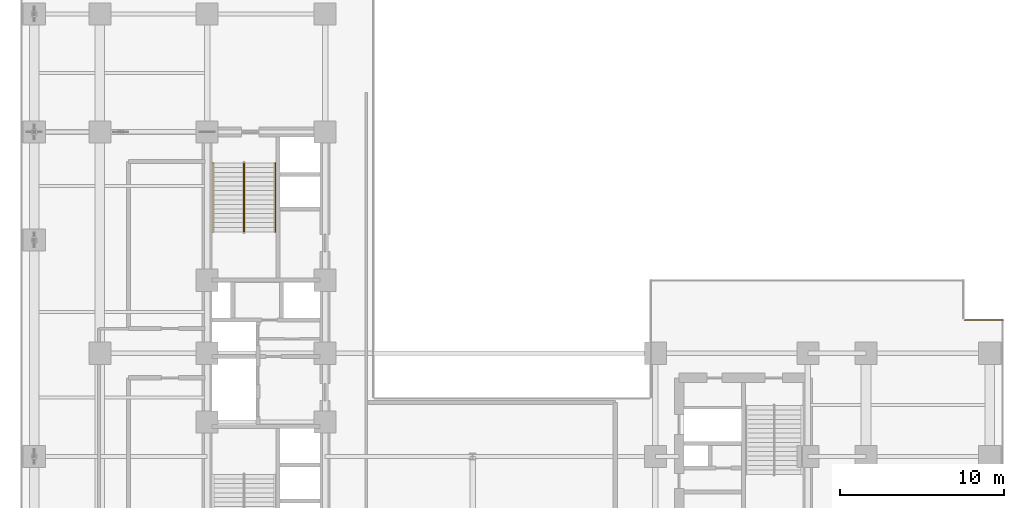
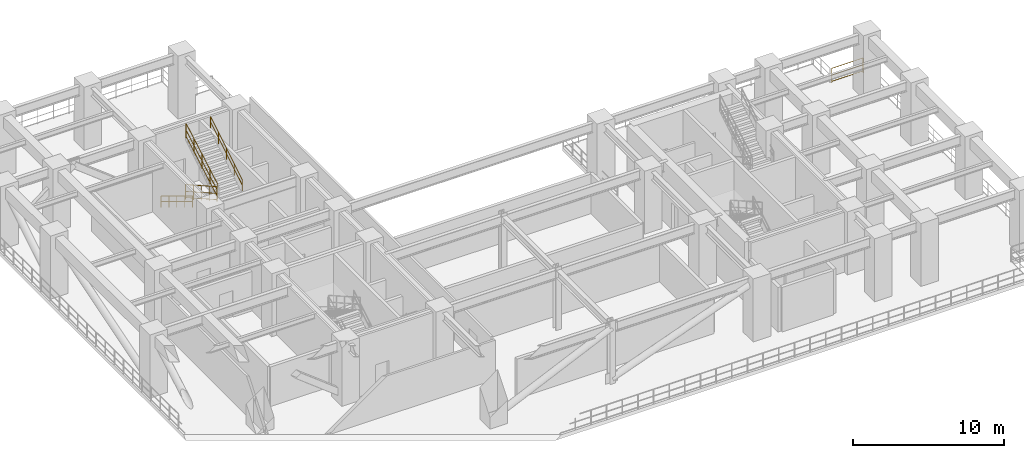
# One storey, part 14 of 15: 5 railings.
"""IFC4 building model written with IfcOpenShell, lengths in metres."""

from ifc_helpers import new_model, entity, si_unit, converted_unit, direction, frame, origin_with_axes, origin_2d_with_axis, place, context, subcontext, project, spatial, rectangle, circle, extrude, material, type_object, element, save


model = new_model("IFC4")

# Units and contexts
model_context = context("Model", 3, precision=1e-05, world=origin_with_axes(), true_north=direction((0.0, 1.0)))
body_context = subcontext(model_context, "Body", "Model", "MODEL_VIEW")
ifc_project = project(units=[si_unit("LENGTHUNIT", "METRE"), si_unit("AREAUNIT", "SQUARE_METRE"), si_unit("VOLUMEUNIT", "CUBIC_METRE"), converted_unit("PLANEANGLEUNIT", "DEGREE", entity("IfcPlaneAngleMeasure", 0.017453292519943295), si_unit("PLANEANGLEUNIT", "RADIAN"), dimensions=[0, 0, 0, 0, 0, 0, 0]), si_unit("MASSUNIT", "GRAM", prefix="KILO"), si_unit("THERMODYNAMICTEMPERATUREUNIT", "KELVIN")], contexts=[model_context])

# Site, building, storey
site_placement = place(None, origin_with_axes())
site = spatial("IfcSite", under=ifc_project, at=site_placement, CompositionType="ELEMENT")
building_placement = place(site_placement, origin_with_axes())
building = spatial("IfcBuilding", under=site, at=building_placement, Name="Varnlund Millrace Tower", CompositionType="ELEMENT")
storey_placement = place(building_placement, frame((0.0, 0.0, 79.5), z_axis=(0.0, 0.0, 1.0), x_axis=(1.0, 0.0, 0.0)))
storey = spatial("IfcBuildingStorey", under=building, at=storey_placement, Name="L19", CompositionType="ELEMENT", Elevation=79.5)

# Railings
ifc_material_1 = material(Name="Architectural bronze balustrade guard", Category="aluminium")
railing_type_1 = type_object("IfcRailingType", Name="Type-Guard-Perimeter-1150", PredefinedType="BALUSTRADE", material=ifc_material_1)
railing_1_placement = place(storey_placement, frame((0.0, 0.0, -79.5), z_axis=(0.0, 0.0, 1.0), x_axis=(1.0, 0.0, 0.0)))
element("IfcRailing", 1, at=railing_1_placement, inside=storey, type_object=railing_type_1, Name="Type-Guard-Perimeter-1150", PredefinedType="BALUSTRADE", context=body_context, shape_type="SweptSolid", body=[
    extrude(circle(Radius=0.024, at=origin_2d_with_axis()), frame((60.0, 26.32, 80.65), z_axis=(-1.0, 0.0, 0.0), x_axis=(0.0, -1.0, 0.0)), (0.0, 0.0, 1.0), 2.4),
    extrude(circle(Radius=0.024, at=origin_2d_with_axis()), frame((60.0, 26.32, 79.6), z_axis=(-1.0, 0.0, 0.0), x_axis=(0.0, -1.0, 0.0)), (0.0, 0.0, 1.0), 2.4),
    extrude(circle(Radius=0.024, at=origin_2d_with_axis()), frame((60.0, 26.32, 80.098), z_axis=(-1.0, 0.0, 0.0), x_axis=(0.0, -1.0, 0.0)), (0.0, 0.0, 1.0), 2.4),
    extrude(rectangle(XDim=0.04, YDim=0.04, at=origin_2d_with_axis()), frame((60.0, 26.32, 79.46), z_axis=(0.0, 0.0, 1.0), x_axis=(1.0, 0.0, 0.0)), (0.0, 0.0, 1.0), 1.19),
    extrude(rectangle(XDim=0.04, YDim=0.04, at=origin_2d_with_axis()), frame((57.6, 26.32, 79.46), z_axis=(0.0, 0.0, 1.0), x_axis=(1.0, 0.0, 0.0)), (0.0, 0.0, 1.0), 1.19),
])
ifc_material_2 = material(Name="Painted steel stair well balustrade guard", Category="steel")
railing_type_2 = type_object("IfcRailingType", Name="Type-StairGuard-1150", PredefinedType="GUARDRAIL", material=ifc_material_2)
railing_2_placement = place(storey_placement, frame((0.0, 0.0, -79.5), z_axis=(0.0, 0.0, 1.0), x_axis=(1.0, 0.0, 0.0)))
element("IfcRailing", 2, at=railing_2_placement, inside=storey, type_object=railing_type_2, Name="Type-StairGuard-1150", PredefinedType="GUARDRAIL", context=body_context, shape_type="SweptSolid", body=[
    extrude(circle(Radius=0.024, at=origin_2d_with_axis()), frame((13.625, 35.9, 80.82), z_axis=(0.0, -0.870022, 0.493013), x_axis=(1.0, 0.0, 0.0)), (0.0, 0.0, 1.0), 4.827463),
    extrude(circle(Radius=0.024, at=origin_2d_with_axis()), frame((13.625, 35.9, 79.77), z_axis=(0.0, -0.870022, 0.493013), x_axis=(1.0, 0.0, 0.0)), (0.0, 0.0, 1.0), 4.827463),
    extrude(circle(Radius=0.024, at=origin_2d_with_axis()), frame((13.625, 35.9, 80.268), z_axis=(0.0, -0.870022, 0.493013), x_axis=(1.0, 0.0, 0.0)), (0.0, 0.0, 1.0), 4.827463),
    extrude(rectangle(XDim=0.04, YDim=0.04, at=origin_2d_with_axis()), frame((13.625, 35.9, 79.63), z_axis=(0.0, 0.0, 1.0), x_axis=(1.0, 0.0, 0.0)), (0.0, 0.0, 1.0), 1.19),
    extrude(rectangle(XDim=0.04, YDim=0.04, at=origin_2d_with_axis()), frame((13.625, 34.85, 80.225), z_axis=(0.0, 0.0, 1.0), x_axis=(1.0, 0.0, 0.0)), (0.0, 0.0, 1.0), 1.19),
    extrude(rectangle(XDim=0.04, YDim=0.04, at=origin_2d_with_axis()), frame((13.625, 33.8, 80.82), z_axis=(0.0, 0.0, 1.0), x_axis=(1.0, 0.0, 0.0)), (0.0, 0.0, 1.0), 1.19),
    extrude(rectangle(XDim=0.04, YDim=0.04, at=origin_2d_with_axis()), frame((13.625, 32.75, 81.415), z_axis=(0.0, 0.0, 1.0), x_axis=(1.0, 0.0, 0.0)), (0.0, 0.0, 1.0), 1.19),
    extrude(rectangle(XDim=0.04, YDim=0.04, at=origin_2d_with_axis()), frame((13.625, 31.7, 82.01), z_axis=(0.0, 0.0, 1.0), x_axis=(1.0, 0.0, 0.0)), (0.0, 0.0, 1.0), 1.19),
])
railing_3_placement = place(storey_placement, frame((0.0, 0.0, -79.5), z_axis=(0.0, 0.0, 1.0), x_axis=(1.0, 0.0, 0.0)))
element("IfcRailing", 3, at=railing_3_placement, inside=storey, type_object=railing_type_2, Name="Type-StairGuard-1150", PredefinedType="GUARDRAIL", context=body_context, shape_type="SweptSolid", body=[
    extrude(circle(Radius=0.024, at=origin_2d_with_axis()), frame((13.675, 31.7, 83.37), z_axis=(0.0, 0.870022, 0.493013), x_axis=(-1.0, 0.0, 0.0)), (0.0, 0.0, 1.0), 4.827463),
    extrude(circle(Radius=0.024, at=origin_2d_with_axis()), frame((13.675, 31.7, 82.32), z_axis=(0.0, 0.870022, 0.493013), x_axis=(-1.0, 0.0, 0.0)), (0.0, 0.0, 1.0), 4.827463),
    extrude(circle(Radius=0.024, at=origin_2d_with_axis()), frame((13.675, 31.7, 82.818), z_axis=(0.0, 0.870022, 0.493013), x_axis=(-1.0, 0.0, 0.0)), (0.0, 0.0, 1.0), 4.827463),
    extrude(rectangle(XDim=0.04, YDim=0.04, at=origin_2d_with_axis()), frame((13.675, 31.7, 82.18), z_axis=(0.0, 0.0, 1.0), x_axis=(1.0, 0.0, 0.0)), (0.0, 0.0, 1.0), 1.19),
    extrude(rectangle(XDim=0.04, YDim=0.04, at=origin_2d_with_axis()), frame((13.675, 32.75, 82.775), z_axis=(0.0, 0.0, 1.0), x_axis=(1.0, 0.0, 0.0)), (0.0, 0.0, 1.0), 1.19),
    extrude(rectangle(XDim=0.04, YDim=0.04, at=origin_2d_with_axis()), frame((13.675, 33.8, 83.37), z_axis=(0.0, 0.0, 1.0), x_axis=(1.0, 0.0, 0.0)), (0.0, 0.0, 1.0), 1.19),
    extrude(rectangle(XDim=0.04, YDim=0.04, at=origin_2d_with_axis()), frame((13.675, 34.85, 83.965), z_axis=(0.0, 0.0, 1.0), x_axis=(1.0, 0.0, 0.0)), (0.0, 0.0, 1.0), 1.19),
    extrude(rectangle(XDim=0.04, YDim=0.04, at=origin_2d_with_axis()), frame((13.675, 35.9, 84.56), z_axis=(0.0, 0.0, 1.0), x_axis=(1.0, 0.0, 0.0)), (0.0, 0.0, 1.0), 1.19),
])
ifc_material_3 = material(Name="Brushed architectural bronze stair handrail", Category="aluminium")
railing_type_3 = type_object("IfcRailingType", Name="Type-StairHandrail-900", PredefinedType="HANDRAIL", material=ifc_material_3)
railing_4_placement = place(storey_placement, frame((0.0, 0.0, -79.5), z_axis=(0.0, 0.0, 1.0), x_axis=(1.0, 0.0, 0.0)))
element("IfcRailing", 4, at=railing_4_placement, inside=storey, type_object=railing_type_3, Name="Type-StairHandrail-900", PredefinedType="HANDRAIL", context=body_context, shape_type="SweptSolid", body=[
    extrude(circle(Radius=0.024, at=origin_2d_with_axis()), frame((11.75, 35.9, 80.549485), z_axis=(0.0, -0.854788, 0.518978), x_axis=(1.0, 0.0, 0.0)), (0.0, 0.0, 1.0), 4.913502),
    extrude(circle(Radius=0.024, at=origin_2d_with_axis()), frame((11.75, 35.9, 80.109743), z_axis=(0.0, -0.854788, 0.518978), x_axis=(1.0, 0.0, 0.0)), (0.0, 0.0, 1.0), 4.913502),
    extrude(rectangle(XDim=0.04, YDim=0.04, at=origin_2d_with_axis()), frame((11.75, 35.9, 79.63), z_axis=(0.0, 0.0, 1.0), x_axis=(1.0, 0.0, 0.0)), (0.0, 0.0, 1.0), 0.919485),
    extrude(rectangle(XDim=0.04, YDim=0.04, at=origin_2d_with_axis()), frame((11.75, 34.85, 80.2675), z_axis=(0.0, 0.0, 1.0), x_axis=(1.0, 0.0, 0.0)), (0.0, 0.0, 1.0), 0.919485),
    extrude(rectangle(XDim=0.04, YDim=0.04, at=origin_2d_with_axis()), frame((11.75, 33.8, 80.905), z_axis=(0.0, 0.0, 1.0), x_axis=(1.0, 0.0, 0.0)), (0.0, 0.0, 1.0), 0.919485),
    extrude(rectangle(XDim=0.04, YDim=0.04, at=origin_2d_with_axis()), frame((11.75, 32.75, 81.5425), z_axis=(0.0, 0.0, 1.0), x_axis=(1.0, 0.0, 0.0)), (0.0, 0.0, 1.0), 0.919485),
    extrude(rectangle(XDim=0.04, YDim=0.04, at=origin_2d_with_axis()), frame((11.75, 31.7, 82.18), z_axis=(0.0, 0.0, 1.0), x_axis=(1.0, 0.0, 0.0)), (0.0, 0.0, 1.0), 0.919485),
])
railing_5_placement = place(storey_placement, frame((0.0, 0.0, -79.5), z_axis=(0.0, 0.0, 1.0), x_axis=(1.0, 0.0, 0.0)))
element("IfcRailing", 5, at=railing_5_placement, inside=storey, type_object=railing_type_3, Name="Type-StairHandrail-900", PredefinedType="HANDRAIL", context=body_context, shape_type="SweptSolid", body=[
    extrude(circle(Radius=0.024, at=origin_2d_with_axis()), frame((15.55, 31.7, 83.099485), z_axis=(0.0, 0.854788, 0.518978), x_axis=(-1.0, 0.0, 0.0)), (0.0, 0.0, 1.0), 4.913502),
    extrude(circle(Radius=0.024, at=origin_2d_with_axis()), frame((15.55, 31.7, 82.659743), z_axis=(0.0, 0.854788, 0.518978), x_axis=(-1.0, 0.0, 0.0)), (0.0, 0.0, 1.0), 4.913502),
    extrude(rectangle(XDim=0.04, YDim=0.04, at=origin_2d_with_axis()), frame((15.55, 31.7, 82.18), z_axis=(0.0, 0.0, 1.0), x_axis=(1.0, 0.0, 0.0)), (0.0, 0.0, 1.0), 0.919485),
    extrude(rectangle(XDim=0.04, YDim=0.04, at=origin_2d_with_axis()), frame((15.55, 32.75, 82.8175), z_axis=(0.0, 0.0, 1.0), x_axis=(1.0, 0.0, 0.0)), (0.0, 0.0, 1.0), 0.919485),
    extrude(rectangle(XDim=0.04, YDim=0.04, at=origin_2d_with_axis()), frame((15.55, 33.8, 83.455), z_axis=(0.0, 0.0, 1.0), x_axis=(1.0, 0.0, 0.0)), (0.0, 0.0, 1.0), 0.919485),
    extrude(rectangle(XDim=0.04, YDim=0.04, at=origin_2d_with_axis()), frame((15.55, 34.85, 84.0925), z_axis=(0.0, 0.0, 1.0), x_axis=(1.0, 0.0, 0.0)), (0.0, 0.0, 1.0), 0.919485),
    extrude(rectangle(XDim=0.04, YDim=0.04, at=origin_2d_with_axis()), frame((15.55, 35.9, 84.73), z_axis=(0.0, 0.0, 1.0), x_axis=(1.0, 0.0, 0.0)), (0.0, 0.0, 1.0), 0.919485),
])

save(model, "model.ifc")
